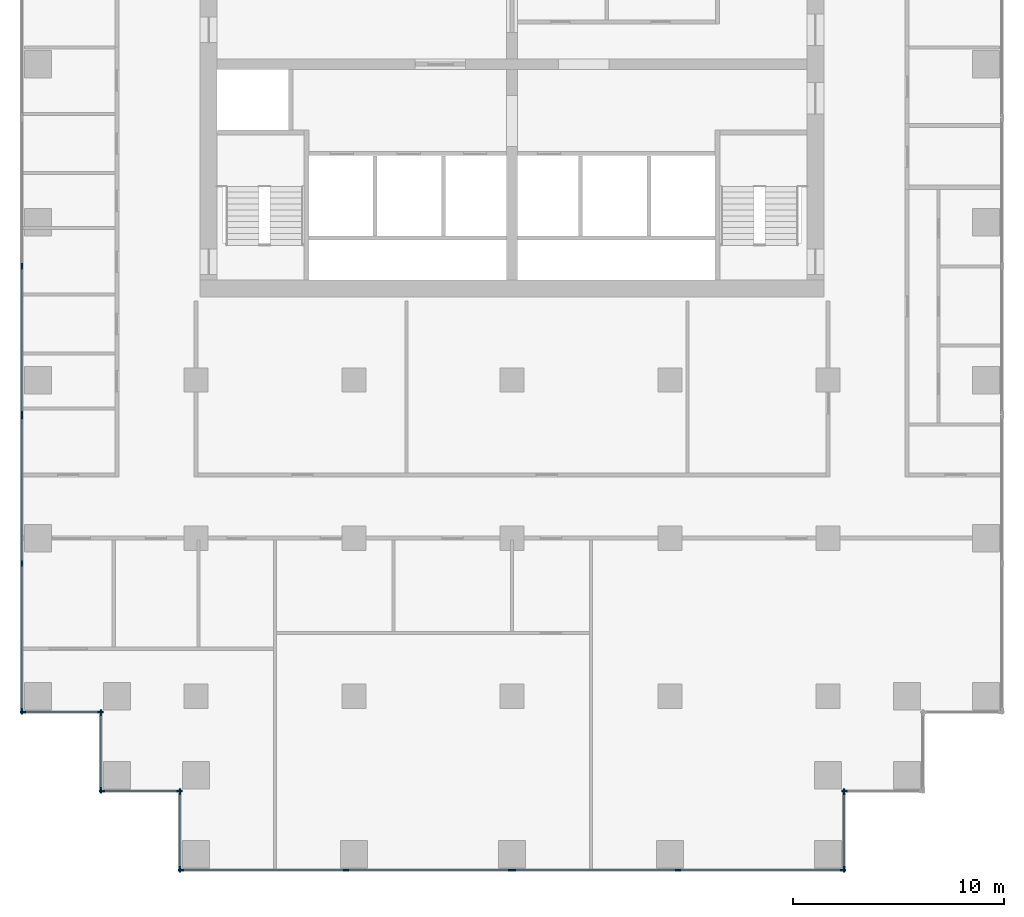
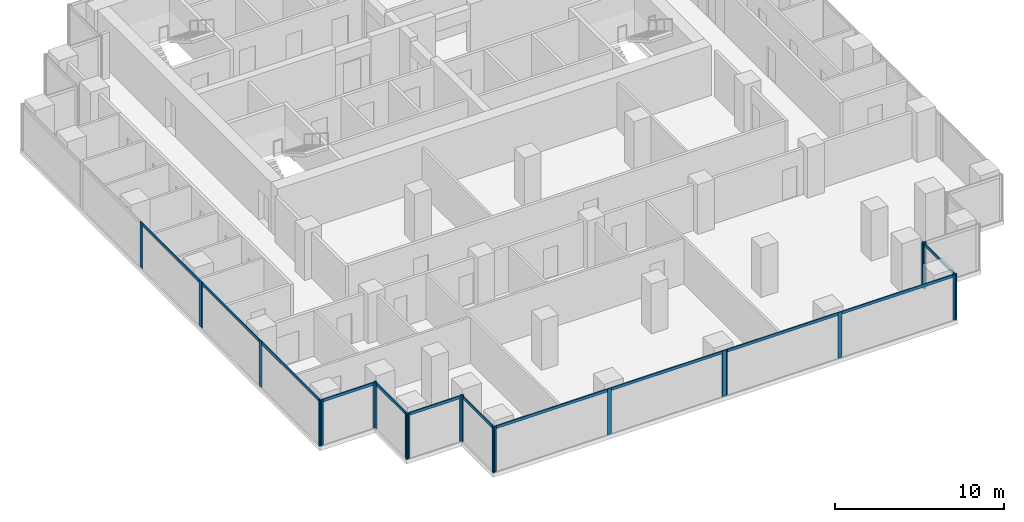
# One storey, part 2 of 10: 34 members, 10 elements without a shape of their own.
"""IFC4 building model written with IfcOpenShell, lengths in metres."""

from ifc_helpers import new_model, si_unit, direction, frame, origin, origin_2d, place, context, subcontext, project, spatial, rectangle, extrude, material, material_profile, profile_set, type_object, element, aggregate, save


model = new_model("IFC4")

# Units and contexts
model_context = context("Model", 3, precision=1e-05, world=origin(), true_north=direction((0.0, 1.0)))
body_context = subcontext(model_context, "Body", "Model", "MODEL_VIEW")
ifc_project = project(units=[si_unit("LENGTHUNIT", "METRE"), si_unit("AREAUNIT", "SQUARE_METRE"), si_unit("VOLUMEUNIT", "CUBIC_METRE"), si_unit("PLANEANGLEUNIT", "RADIAN"), si_unit("MASSUNIT", "GRAM", prefix="KILO")], contexts=[model_context])

# Site, building, storey
site_placement = place(None, origin())
site = spatial("IfcSite", under=ifc_project, at=site_placement, CompositionType="ELEMENT")
building_placement = place(site_placement, origin())
building = spatial("IfcBuilding", under=site, at=building_placement, Name="Pilkhan Gate Tower", CompositionType="ELEMENT")
storey_placement = place(building_placement, frame((0.0, 0.0, 128.800048828125)))
storey = spatial("IfcBuildingStorey", under=building, at=storey_placement, Name="L32", CompositionType="ELEMENT", Elevation=128.800048828125)

# Curtain wall, members
ifc_material_1 = material(Name="Pale anodised aluminium, clear low-iron double glazing", Category="aluminium")
curtain_wall_type = type_object("IfcCurtainWallType", Name="Office unitised curtain wall CW-O1", PredefinedType="USERDEFINED", material=ifc_material_1)
curtain_wall_1_placement = place(storey_placement, origin())
curtain_wall_1 = element("IfcCurtainWall", 1, at=curtain_wall_1_placement, inside=storey, type_object=curtain_wall_type, Name="Office unitised curtain wall CW-O1 L32 W", ObjectType="UNITISED CURTAIN WALL", PredefinedType="USERDEFINED")
ifc_material_2 = material(Name="Pale anodised aluminium", Category="aluminium")
ifc_material_profile_1 = material_profile(ifc_material_2, rectangle(XDim=0.070068359375, YDim=0.27490234375, at=origin_2d()), Name="Mullion 275x70")
ifc_profile_set_1 = profile_set([ifc_material_profile_1], Name="Pale anodised aluminium")
member_type_1 = type_object("IfcMemberType", Name="Mullion CW-O1 275x70", PredefinedType="MULLION", material=ifc_profile_set_1)
member_1_placement = place(storey_placement, frame((51.75, 51.784912109375, 0.0), z_axis=(0.0, 0.0, 1.0), x_axis=(-1.0, 0.0, 0.0)))
member_1 = element("IfcMember", 2, at=member_1_placement, type_object=member_type_1, Name="CW-O1 mullion 1", PredefinedType="MULLION", context=body_context, shape_type="SweptSolid", body=[
    extrude(rectangle(XDim=0.070068359375, YDim=0.27490234375, at=origin_2d()), origin(), (0.0, 0.0, 1.0), 3.300048828125),
])
member_2_placement = place(storey_placement, frame((51.75, 58.800048828125, 0.0), z_axis=(0.0, 0.0, 1.0), x_axis=(-1.0, 0.0, 0.0)))
member_2 = element("IfcMember", 3, at=member_2_placement, type_object=member_type_1, Name="CW-O1 mullion 2", PredefinedType="MULLION", context=body_context, shape_type="SweptSolid", body=[
    extrude(rectangle(XDim=0.070068359375, YDim=0.27490234375, at=origin_2d()), origin(), (0.0, 0.0, 1.0), 3.300048828125),
])
member_3_placement = place(storey_placement, frame((51.75, 65.81494140625, 0.0), z_axis=(0.0, 0.0, 1.0), x_axis=(-1.0, 0.0, 0.0)))
member_3 = element("IfcMember", 4, at=member_3_placement, type_object=member_type_1, Name="CW-O1 mullion 3", PredefinedType="MULLION", context=body_context, shape_type="SweptSolid", body=[
    extrude(rectangle(XDim=0.070068359375, YDim=0.27490234375, at=origin_2d()), origin(), (0.0, 0.0, 1.0), 3.300048828125),
])

curtain_wall_2_placement = place(storey_placement, origin())
curtain_wall_2 = element("IfcCurtainWall", 5, at=curtain_wall_2_placement, inside=storey, type_object=curtain_wall_type, Name="Office unitised curtain wall CW-O1 L32 W", ObjectType="UNITISED CURTAIN WALL", PredefinedType="USERDEFINED")
member_4_placement = place(storey_placement, frame((51.75, 65.885009765625, 0.0), z_axis=(0.0, 0.0, 1.0), x_axis=(-1.0, 0.0, 0.0)))
member_4 = element("IfcMember", 6, at=member_4_placement, type_object=member_type_1, Name="CW-O1 mullion 1", PredefinedType="MULLION", context=body_context, shape_type="SweptSolid", body=[
    extrude(rectangle(XDim=0.070068359375, YDim=0.27490234375, at=origin_2d()), origin(), (0.0, 0.0, 1.0), 3.300048828125),
])
member_5_placement = place(storey_placement, frame((51.75, 72.89990234375, 0.0), z_axis=(0.0, 0.0, 1.0), x_axis=(-1.0, 0.0, 0.0)))
member_5 = element("IfcMember", 7, at=member_5_placement, type_object=member_type_1, Name="CW-O1 mullion 2", PredefinedType="MULLION", context=body_context, shape_type="SweptSolid", body=[
    extrude(rectangle(XDim=0.070068359375, YDim=0.27490234375, at=origin_2d()), origin(), (0.0, 0.0, 1.0), 3.300048828125),
])

curtain_wall_3_placement = place(storey_placement, origin())
curtain_wall_3 = element("IfcCurtainWall", 8, at=curtain_wall_3_placement, inside=storey, type_object=curtain_wall_type, Name="Office unitised curtain wall CW-O1 L32 S", ObjectType="UNITISED CURTAIN WALL", PredefinedType="USERDEFINED")
member_6_placement = place(storey_placement, frame((51.784912109375, 51.75, 0.0), z_axis=(0.0, 0.0, 1.0), x_axis=(0.0, 1.0, 0.0)))
member_6 = element("IfcMember", 9, at=member_6_placement, type_object=member_type_1, Name="CW-O1 mullion 1", PredefinedType="MULLION", context=body_context, shape_type="SweptSolid", body=[
    extrude(rectangle(XDim=0.070068359375, YDim=0.27490234375, at=origin_2d()), origin(), (0.0, 0.0, 1.0), 3.300048828125),
])
member_7_placement = place(storey_placement, frame((55.465087890625, 51.75, 0.0), z_axis=(0.0, 0.0, 1.0), x_axis=(0.0, 1.0, 0.0)))
member_7 = element("IfcMember", 10, at=member_7_placement, type_object=member_type_1, Name="CW-O1 mullion 2", PredefinedType="MULLION", context=body_context, shape_type="SweptSolid", body=[
    extrude(rectangle(XDim=0.070068359375, YDim=0.27490234375, at=origin_2d()), origin(), (0.0, 0.0, 1.0), 3.300048828125),
])

curtain_wall_4_placement = place(storey_placement, origin())
curtain_wall_4 = element("IfcCurtainWall", 11, at=curtain_wall_4_placement, inside=storey, type_object=curtain_wall_type, Name="Office unitised curtain wall CW-O1 L32 W", ObjectType="UNITISED CURTAIN WALL", PredefinedType="USERDEFINED")
member_8_placement = place(storey_placement, frame((55.5, 48.034912109375, 0.0), z_axis=(0.0, 0.0, 1.0), x_axis=(-1.0, 0.0, 0.0)))
member_8 = element("IfcMember", 12, at=member_8_placement, type_object=member_type_1, Name="CW-O1 mullion 1", PredefinedType="MULLION", context=body_context, shape_type="SweptSolid", body=[
    extrude(rectangle(XDim=0.070068359375, YDim=0.27490234375, at=origin_2d()), origin(), (0.0, 0.0, 1.0), 3.300048828125),
])
member_9_placement = place(storey_placement, frame((55.5, 51.715087890625, 0.0), z_axis=(0.0, 0.0, 1.0), x_axis=(-1.0, 0.0, 0.0)))
member_9 = element("IfcMember", 13, at=member_9_placement, type_object=member_type_1, Name="CW-O1 mullion 2", PredefinedType="MULLION", context=body_context, shape_type="SweptSolid", body=[
    extrude(rectangle(XDim=0.070068359375, YDim=0.27490234375, at=origin_2d()), origin(), (0.0, 0.0, 1.0), 3.300048828125),
])

curtain_wall_5_placement = place(storey_placement, origin())
curtain_wall_5 = element("IfcCurtainWall", 14, at=curtain_wall_5_placement, inside=storey, type_object=curtain_wall_type, Name="Office unitised curtain wall CW-O1 L32 S", ObjectType="UNITISED CURTAIN WALL", PredefinedType="USERDEFINED")
member_10_placement = place(storey_placement, frame((55.534912109375, 48.0, 0.0), z_axis=(0.0, 0.0, 1.0), x_axis=(0.0, 1.0, 0.0)))
member_10 = element("IfcMember", 15, at=member_10_placement, type_object=member_type_1, Name="CW-O1 mullion 1", PredefinedType="MULLION", context=body_context, shape_type="SweptSolid", body=[
    extrude(rectangle(XDim=0.070068359375, YDim=0.27490234375, at=origin_2d()), origin(), (0.0, 0.0, 1.0), 3.300048828125),
])
member_11_placement = place(storey_placement, frame((59.215087890625, 48.0, 0.0), z_axis=(0.0, 0.0, 1.0), x_axis=(0.0, 1.0, 0.0)))
member_11 = element("IfcMember", 16, at=member_11_placement, type_object=member_type_1, Name="CW-O1 mullion 2", PredefinedType="MULLION", context=body_context, shape_type="SweptSolid", body=[
    extrude(rectangle(XDim=0.070068359375, YDim=0.27490234375, at=origin_2d()), origin(), (0.0, 0.0, 1.0), 3.300048828125),
])

curtain_wall_6_placement = place(storey_placement, origin())
curtain_wall_6 = element("IfcCurtainWall", 17, at=curtain_wall_6_placement, inside=storey, type_object=curtain_wall_type, Name="Office unitised curtain wall CW-O1 L32 W", ObjectType="UNITISED CURTAIN WALL", PredefinedType="USERDEFINED")
member_12_placement = place(storey_placement, frame((59.25, 44.284912109375, 0.0), z_axis=(0.0, 0.0, 1.0), x_axis=(-1.0, 0.0, 0.0)))
member_12 = element("IfcMember", 18, at=member_12_placement, type_object=member_type_1, Name="CW-O1 mullion 1", PredefinedType="MULLION", context=body_context, shape_type="SweptSolid", body=[
    extrude(rectangle(XDim=0.070068359375, YDim=0.27490234375, at=origin_2d()), origin(), (0.0, 0.0, 1.0), 3.300048828125),
])
member_13_placement = place(storey_placement, frame((59.25, 47.965087890625, 0.0), z_axis=(0.0, 0.0, 1.0), x_axis=(-1.0, 0.0, 0.0)))
member_13 = element("IfcMember", 19, at=member_13_placement, type_object=member_type_1, Name="CW-O1 mullion 2", PredefinedType="MULLION", context=body_context, shape_type="SweptSolid", body=[
    extrude(rectangle(XDim=0.070068359375, YDim=0.27490234375, at=origin_2d()), origin(), (0.0, 0.0, 1.0), 3.300048828125),
])

curtain_wall_7_placement = place(storey_placement, origin())
curtain_wall_7 = element("IfcCurtainWall", 20, at=curtain_wall_7_placement, inside=storey, type_object=curtain_wall_type, Name="Office unitised curtain wall CW-O1 L32 S", ObjectType="UNITISED CURTAIN WALL", PredefinedType="USERDEFINED")
member_14_placement = place(storey_placement, frame((59.284912109375, 44.25, 0.0), z_axis=(0.0, 0.0, 1.0), x_axis=(0.0, 1.0, 0.0)))
member_14 = element("IfcMember", 21, at=member_14_placement, type_object=member_type_1, Name="CW-O1 mullion 1", PredefinedType="MULLION", context=body_context, shape_type="SweptSolid", body=[
    extrude(rectangle(XDim=0.070068359375, YDim=0.27490234375, at=origin_2d()), origin(), (0.0, 0.0, 1.0), 3.300048828125),
])
member_15_placement = place(storey_placement, frame((67.125, 44.25, 0.0), z_axis=(0.0, 0.0, 1.0), x_axis=(0.0, 1.0, 0.0)))
member_15 = element("IfcMember", 22, at=member_15_placement, type_object=member_type_1, Name="CW-O1 mullion 2", PredefinedType="MULLION", context=body_context, shape_type="SweptSolid", body=[
    extrude(rectangle(XDim=0.070068359375, YDim=0.27490234375, at=origin_2d()), origin(), (0.0, 0.0, 1.0), 3.300048828125),
])
member_16_placement = place(storey_placement, frame((74.965087890625, 44.25, 0.0), z_axis=(0.0, 0.0, 1.0), x_axis=(0.0, 1.0, 0.0)))
member_16 = element("IfcMember", 23, at=member_16_placement, type_object=member_type_1, Name="CW-O1 mullion 3", PredefinedType="MULLION", context=body_context, shape_type="SweptSolid", body=[
    extrude(rectangle(XDim=0.070068359375, YDim=0.27490234375, at=origin_2d()), origin(), (0.0, 0.0, 1.0), 3.300048828125),
])

curtain_wall_8_placement = place(storey_placement, origin())
curtain_wall_8 = element("IfcCurtainWall", 24, at=curtain_wall_8_placement, inside=storey, type_object=curtain_wall_type, Name="Office unitised curtain wall CW-O1 L32 S", ObjectType="UNITISED CURTAIN WALL", PredefinedType="USERDEFINED")
member_17_placement = place(storey_placement, frame((75.034912109375, 44.25, 0.0), z_axis=(0.0, 0.0, 1.0), x_axis=(0.0, 1.0, 0.0)))
member_17 = element("IfcMember", 25, at=member_17_placement, type_object=member_type_1, Name="CW-O1 mullion 1", PredefinedType="MULLION", context=body_context, shape_type="SweptSolid", body=[
    extrude(rectangle(XDim=0.070068359375, YDim=0.27490234375, at=origin_2d()), origin(), (0.0, 0.0, 1.0), 3.300048828125),
])
member_18_placement = place(storey_placement, frame((82.875, 44.25, 0.0), z_axis=(0.0, 0.0, 1.0), x_axis=(0.0, 1.0, 0.0)))
member_18 = element("IfcMember", 26, at=member_18_placement, type_object=member_type_1, Name="CW-O1 mullion 2", PredefinedType="MULLION", context=body_context, shape_type="SweptSolid", body=[
    extrude(rectangle(XDim=0.070068359375, YDim=0.27490234375, at=origin_2d()), origin(), (0.0, 0.0, 1.0), 3.300048828125),
])
member_19_placement = place(storey_placement, frame((90.715087890625, 44.25, 0.0), z_axis=(0.0, 0.0, 1.0), x_axis=(0.0, 1.0, 0.0)))
member_19 = element("IfcMember", 27, at=member_19_placement, type_object=member_type_1, Name="CW-O1 mullion 3", PredefinedType="MULLION", context=body_context, shape_type="SweptSolid", body=[
    extrude(rectangle(XDim=0.070068359375, YDim=0.27490234375, at=origin_2d()), origin(), (0.0, 0.0, 1.0), 3.300048828125),
])

curtain_wall_9_placement = place(storey_placement, origin())
curtain_wall_9 = element("IfcCurtainWall", 28, at=curtain_wall_9_placement, inside=storey, type_object=curtain_wall_type, Name="Office unitised curtain wall CW-O1 L32 E", ObjectType="UNITISED CURTAIN WALL", PredefinedType="USERDEFINED")
member_20_placement = place(storey_placement, frame((90.75, 44.284912109375, 0.0), z_axis=(0.0, 0.0, 1.0), x_axis=(-1.0, 0.0, 0.0)))
member_20 = element("IfcMember", 29, at=member_20_placement, type_object=member_type_1, Name="CW-O1 mullion 1", PredefinedType="MULLION", context=body_context, shape_type="SweptSolid", body=[
    extrude(rectangle(XDim=0.070068359375, YDim=0.27490234375, at=origin_2d()), origin(), (0.0, 0.0, 1.0), 3.300048828125),
])
member_21_placement = place(storey_placement, frame((90.75, 47.965087890625, 0.0), z_axis=(0.0, 0.0, 1.0), x_axis=(-1.0, 0.0, 0.0)))
member_21 = element("IfcMember", 30, at=member_21_placement, type_object=member_type_1, Name="CW-O1 mullion 2", PredefinedType="MULLION", context=body_context, shape_type="SweptSolid", body=[
    extrude(rectangle(XDim=0.070068359375, YDim=0.27490234375, at=origin_2d()), origin(), (0.0, 0.0, 1.0), 3.300048828125),
])

# Curtain wall, member
curtain_wall_10_placement = place(storey_placement, origin())
curtain_wall_10 = element("IfcCurtainWall", 31, at=curtain_wall_10_placement, inside=storey, type_object=curtain_wall_type, Name="Office unitised curtain wall CW-O1 L32 S", ObjectType="UNITISED CURTAIN WALL", PredefinedType="USERDEFINED")
member_22_placement = place(storey_placement, frame((90.784912109375, 48.0, 0.0), z_axis=(0.0, 0.0, 1.0), x_axis=(0.0, 1.0, 0.0)))
member_22 = element("IfcMember", 32, at=member_22_placement, type_object=member_type_1, Name="CW-O1 mullion 1", PredefinedType="MULLION", context=body_context, shape_type="SweptSolid", body=[
    extrude(rectangle(XDim=0.070068359375, YDim=0.27490234375, at=origin_2d()), origin(), (0.0, 0.0, 1.0), 3.300048828125),
])
aggregate(curtain_wall_10, [member_22])

# Member
ifc_material_profile_2 = material_profile(ifc_material_2, rectangle(XDim=0.070068359375, YDim=0.199951171875, at=origin_2d()), Name="Transom 200x70")
ifc_profile_set_2 = profile_set([ifc_material_profile_2], Name="Pale anodised aluminium")
member_type_2 = type_object("IfcMemberType", Name="Transom CW-O1 200x70", PredefinedType="USERDEFINED", material=ifc_profile_set_2)
member_23_placement = place(storey_placement, frame((51.75, 51.820068359375, 3.199951171875), z_axis=(0.0, 1.0, 0.0), x_axis=(-1.0, 0.0, 0.0)))
member_23 = element("IfcMember", 33, at=member_23_placement, type_object=member_type_2, Name="CW-O1 transom 1", ObjectType="TRANSOM", PredefinedType="USERDEFINED", context=body_context, shape_type="SweptSolid", body=[
    extrude(rectangle(XDim=0.070068359375, YDim=0.199951171875, at=origin_2d()), origin(), (0.0, 0.0, 1.0), 6.94482421875),
])

member_24_placement = place(storey_placement, frame((51.75, 58.8349609375, 3.199951171875), z_axis=(0.0, 1.0, 0.0), x_axis=(-1.0, 0.0, 0.0)))
member_24 = element("IfcMember", 34, at=member_24_placement, type_object=member_type_2, Name="CW-O1 transom 2", ObjectType="TRANSOM", PredefinedType="USERDEFINED", context=body_context, shape_type="SweptSolid", body=[
    extrude(rectangle(XDim=0.070068359375, YDim=0.199951171875, at=origin_2d()), origin(), (0.0, 0.0, 1.0), 6.945068359375),
])

aggregate(curtain_wall_1, [member_1, member_2, member_3, member_23, member_24])

member_25_placement = place(storey_placement, frame((51.75, 65.919921875, 3.199951171875), z_axis=(0.0, 1.0, 0.0), x_axis=(-1.0, 0.0, 0.0)))
member_25 = element("IfcMember", 35, at=member_25_placement, type_object=member_type_2, Name="CW-O1 transom 1", ObjectType="TRANSOM", PredefinedType="USERDEFINED", context=body_context, shape_type="SweptSolid", body=[
    extrude(rectangle(XDim=0.070068359375, YDim=0.199951171875, at=origin_2d()), origin(), (0.0, 0.0, 1.0), 6.945068359375),
])

aggregate(curtain_wall_2, [member_4, member_5, member_25])

member_26_placement = place(storey_placement, frame((51.820068359375, 51.75, 3.199951171875), z_axis=(1.0, 0.0, 0.0), x_axis=(0.0, 1.0, 0.0)))
member_26 = element("IfcMember", 36, at=member_26_placement, type_object=member_type_2, Name="CW-O1 transom 1", ObjectType="TRANSOM", PredefinedType="USERDEFINED", context=body_context, shape_type="SweptSolid", body=[
    extrude(rectangle(XDim=0.070068359375, YDim=0.199951171875, at=origin_2d()), origin(), (0.0, 0.0, 1.0), 3.60986328125),
])

aggregate(curtain_wall_3, [member_6, member_7, member_26])

member_27_placement = place(storey_placement, frame((55.5, 48.070068359375, 3.199951171875), z_axis=(0.0, 1.0, 0.0), x_axis=(-1.0, 0.0, 0.0)))
member_27 = element("IfcMember", 37, at=member_27_placement, type_object=member_type_2, Name="CW-O1 transom 1", ObjectType="TRANSOM", PredefinedType="USERDEFINED", context=body_context, shape_type="SweptSolid", body=[
    extrude(rectangle(XDim=0.070068359375, YDim=0.199951171875, at=origin_2d()), origin(), (0.0, 0.0, 1.0), 3.60986328125),
])

aggregate(curtain_wall_4, [member_8, member_9, member_27])

member_28_placement = place(storey_placement, frame((55.570068359375, 48.0, 3.199951171875), z_axis=(1.0, 0.0, 0.0), x_axis=(0.0, 1.0, 0.0)))
member_28 = element("IfcMember", 38, at=member_28_placement, type_object=member_type_2, Name="CW-O1 transom 1", ObjectType="TRANSOM", PredefinedType="USERDEFINED", context=body_context, shape_type="SweptSolid", body=[
    extrude(rectangle(XDim=0.070068359375, YDim=0.199951171875, at=origin_2d()), origin(), (0.0, 0.0, 1.0), 3.60986328125),
])

aggregate(curtain_wall_5, [member_10, member_11, member_28])

member_29_placement = place(storey_placement, frame((59.25, 44.320068359375, 3.199951171875), z_axis=(0.0, 1.0, 0.0), x_axis=(-1.0, 0.0, 0.0)))
member_29 = element("IfcMember", 39, at=member_29_placement, type_object=member_type_2, Name="CW-O1 transom 1", ObjectType="TRANSOM", PredefinedType="USERDEFINED", context=body_context, shape_type="SweptSolid", body=[
    extrude(rectangle(XDim=0.070068359375, YDim=0.199951171875, at=origin_2d()), origin(), (0.0, 0.0, 1.0), 3.60986328125),
])

aggregate(curtain_wall_6, [member_12, member_13, member_29])

member_30_placement = place(storey_placement, frame((59.320068359375, 44.25, 3.199951171875), z_axis=(1.0, 0.0, 0.0), x_axis=(0.0, 1.0, 0.0)))
member_30 = element("IfcMember", 40, at=member_30_placement, type_object=member_type_2, Name="CW-O1 transom 1", ObjectType="TRANSOM", PredefinedType="USERDEFINED", context=body_context, shape_type="SweptSolid", body=[
    extrude(rectangle(XDim=0.070068359375, YDim=0.199951171875, at=origin_2d()), origin(), (0.0, 0.0, 1.0), 7.77001953125),
])

member_31_placement = place(storey_placement, frame((67.159912109375, 44.25, 3.199951171875), z_axis=(1.0, 0.0, 0.0), x_axis=(0.0, 1.0, 0.0)))
member_31 = element("IfcMember", 41, at=member_31_placement, type_object=member_type_2, Name="CW-O1 transom 2", ObjectType="TRANSOM", PredefinedType="USERDEFINED", context=body_context, shape_type="SweptSolid", body=[
    extrude(rectangle(XDim=0.070068359375, YDim=0.199951171875, at=origin_2d()), origin(), (0.0, 0.0, 1.0), 7.77001953125),
])

aggregate(curtain_wall_7, [member_14, member_15, member_16, member_30, member_31])

member_32_placement = place(storey_placement, frame((75.070068359375, 44.25, 3.199951171875), z_axis=(1.0, 0.0, 0.0), x_axis=(0.0, 1.0, 0.0)))
member_32 = element("IfcMember", 42, at=member_32_placement, type_object=member_type_2, Name="CW-O1 transom 1", ObjectType="TRANSOM", PredefinedType="USERDEFINED", context=body_context, shape_type="SweptSolid", body=[
    extrude(rectangle(XDim=0.070068359375, YDim=0.199951171875, at=origin_2d()), origin(), (0.0, 0.0, 1.0), 7.77001953125),
])

member_33_placement = place(storey_placement, frame((82.909912109375, 44.25, 3.199951171875), z_axis=(1.0, 0.0, 0.0), x_axis=(0.0, 1.0, 0.0)))
member_33 = element("IfcMember", 43, at=member_33_placement, type_object=member_type_2, Name="CW-O1 transom 2", ObjectType="TRANSOM", PredefinedType="USERDEFINED", context=body_context, shape_type="SweptSolid", body=[
    extrude(rectangle(XDim=0.070068359375, YDim=0.199951171875, at=origin_2d()), origin(), (0.0, 0.0, 1.0), 7.77001953125),
])

aggregate(curtain_wall_8, [member_17, member_18, member_19, member_32, member_33])

member_34_placement = place(storey_placement, frame((90.75, 44.320068359375, 3.199951171875), z_axis=(0.0, 1.0, 0.0), x_axis=(-1.0, 0.0, 0.0)))
member_34 = element("IfcMember", 44, at=member_34_placement, type_object=member_type_2, Name="CW-O1 transom 1", ObjectType="TRANSOM", PredefinedType="USERDEFINED", context=body_context, shape_type="SweptSolid", body=[
    extrude(rectangle(XDim=0.070068359375, YDim=0.199951171875, at=origin_2d()), origin(), (0.0, 0.0, 1.0), 3.60986328125),
])

aggregate(curtain_wall_9, [member_20, member_21, member_34])

save(model, "model.ifc")
